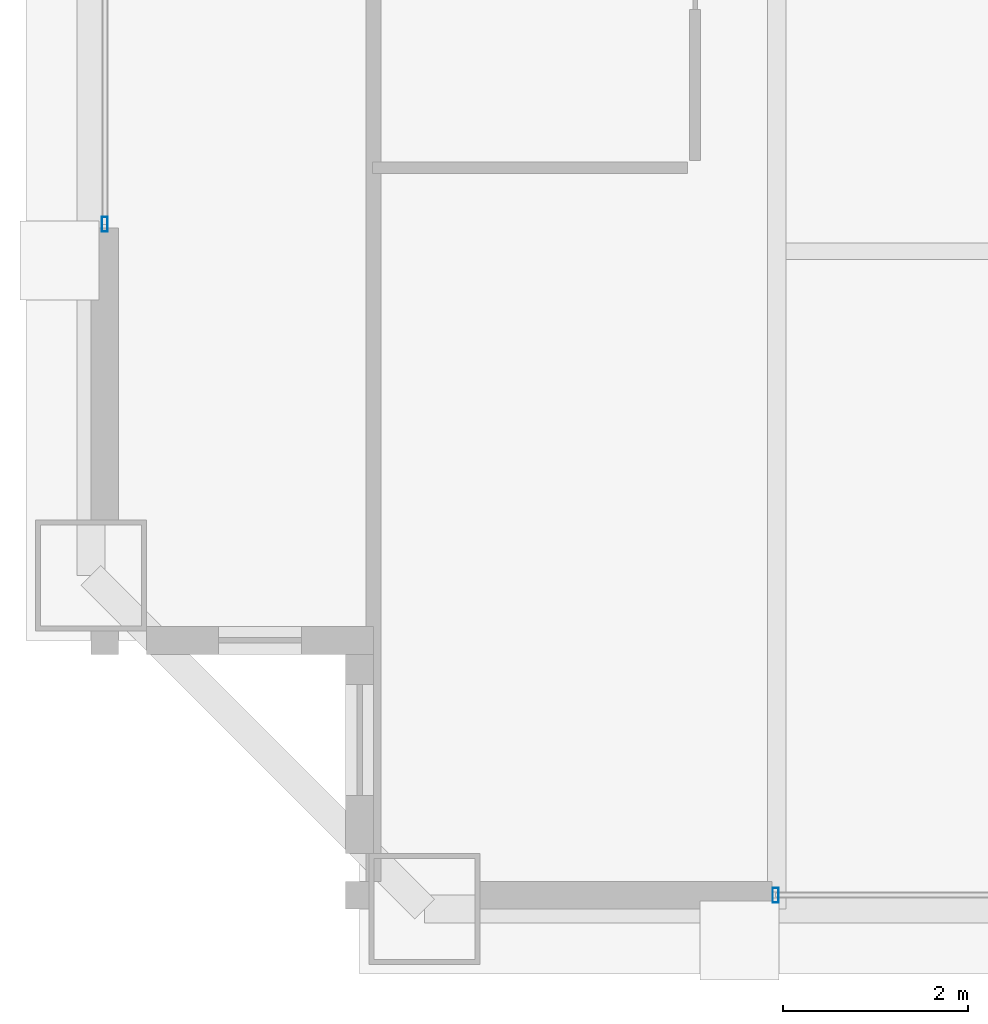
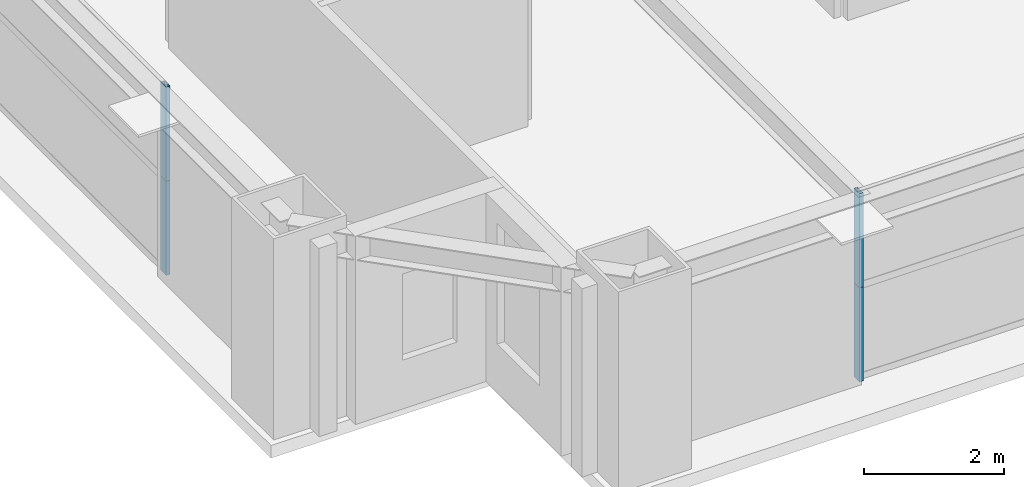
# One storey, part 4 of 37: 4 members, 2 elements without a shape of their own.
"""IFC4 building model written with IfcOpenShell, lengths in metres."""

from ifc_helpers import new_model, si_unit, direction, frame, origin, origin_2d, place, context, subcontext, project, spatial, hollow_rectangle, extrude, source, transform, mapped, material, layer, layer_set, material_profile, profile_set, type_object, element, aggregate, save


model = new_model("IFC4")

# Units and contexts
model_context = context("Model", 3, precision=1e-05, world=origin(), true_north=direction((0.0, 1.0)))
body_context = subcontext(model_context, "Body", "Model", "MODEL_VIEW")
ifc_project = project(units=[si_unit("LENGTHUNIT", "METRE"), si_unit("AREAUNIT", "SQUARE_METRE"), si_unit("VOLUMEUNIT", "CUBIC_METRE"), si_unit("PLANEANGLEUNIT", "RADIAN"), si_unit("MASSUNIT", "GRAM", prefix="KILO"), si_unit("THERMODYNAMICTEMPERATUREUNIT", "KELVIN"), si_unit("POWERUNIT", "WATT")], contexts=[model_context])

# Site, building, storey
site_placement = place(None, origin())
site = spatial("IfcSite", under=ifc_project, at=site_placement, CompositionType="ELEMENT")
building_placement = place(site_placement, origin())
building = spatial("IfcBuilding", under=site, at=building_placement, Name="Yuzanri Waterfront Tower", CompositionType="ELEMENT")
storey_placement = place(building_placement, frame((0.0, 0.0, 268.10009765625)))
storey = spatial("IfcBuildingStorey", under=building, at=storey_placement, Name="L71", CompositionType="ELEMENT", Elevation=268.10009765625)

# Curtain wall, members
ifc_material_1 = material(Name="Anodized Architectural Bronze", Category="metal")
ifc_layer = layer(ifc_material_1, 0.159912109375)
ifc_layer_set = layer_set([ifc_layer], Name="Anodized Architectural Bronze")
curtain_wall_type = type_object("IfcCurtainWallType", Name="Anodized Bronze Mid-Rise Residential Acoustic Unitized Curtain Wall 7200", PredefinedType="NOTDEFINED", material=ifc_layer_set)
curtain_wall_1_placement = place(storey_placement, origin())
curtain_wall_1 = element("IfcCurtainWall", 1, at=curtain_wall_1_placement, inside=storey, type_object=curtain_wall_type, Name="L71 Curtain Wall CW-L71-SL", PredefinedType="NOTDEFINED")
ifc_material_2 = material(Name="Anodized Architectural Bronze", Category="metal")
ifc_material_profile = material_profile(ifc_material_2, hollow_rectangle(XDim=0.06494140625, YDim=0.159912109375, WallThickness=0.00341796875, at=origin_2d()), Name="CWM 65x160")
ifc_profile_set = profile_set([ifc_material_profile], Name="Anodized Architectural Bronze")
member_type = type_object("IfcMemberType", Name="Anodized Bronze Upper-Zone Curtain-Wall Mullion 65x160", PredefinedType="MULLION", material=ifc_profile_set)
shared_shape = source(origin(), body_context, "Body", "SweptSolid", [
    extrude(hollow_rectangle(XDim=0.06494140625, YDim=0.159912109375, WallThickness=0.00341796875, at=origin_2d()), origin(), (0.0, 0.0, 1.0), 1.637939453125),
])
member_1_placement = place(storey_placement, frame((23.7900390625, 5.35009765625, 0.0), z_axis=(0.0, 0.0, 1.0), x_axis=(1.0, 0.0, 0.0)))
member_1 = element("IfcMember", 2, at=member_1_placement, type_object=member_type, Name="CW-L71-SL Lower Mullion 00", PredefinedType="MULLION", context=body_context, shape_type="MappedRepresentation", body=[
    mapped(shared_shape, transform((0.0, 0.0, 0.0), scale=1.0)),
])
member_2_placement = place(storey_placement, frame((23.7900390625, 5.35009765625, 1.641845703125), z_axis=(0.0, 0.0, 1.0), x_axis=(1.0, 0.0, 0.0)))
member_2 = element("IfcMember", 3, at=member_2_placement, type_object=member_type, Name="CW-L71-SL Upper Mullion 00", PredefinedType="MULLION", context=body_context, shape_type="MappedRepresentation", body=[
    mapped(shared_shape, transform((0.0, 0.0, 0.0), scale=1.0)),
])
aggregate(curtain_wall_1, [member_1, member_2])

curtain_wall_2_placement = place(storey_placement, origin())
curtain_wall_2 = element("IfcCurtainWall", 4, at=curtain_wall_2_placement, inside=storey, type_object=curtain_wall_type, Name="L71 Curtain Wall CW-L71-WL", PredefinedType="NOTDEFINED")
member_3_placement = place(storey_placement, frame((16.550048828125, 12.590087890625, 0.0), z_axis=(0.0, 0.0, 1.0), x_axis=(1.0, 0.0, 0.0)))
member_3 = element("IfcMember", 5, at=member_3_placement, type_object=member_type, Name="CW-L71-WL Lower Mullion 00", PredefinedType="MULLION", context=body_context, shape_type="MappedRepresentation", body=[
    mapped(shared_shape, transform((0.0, 0.0, 0.0), scale=1.0)),
])
member_4_placement = place(storey_placement, frame((16.550048828125, 12.590087890625, 1.641845703125), z_axis=(0.0, 0.0, 1.0), x_axis=(1.0, 0.0, 0.0)))
member_4 = element("IfcMember", 6, at=member_4_placement, type_object=member_type, Name="CW-L71-WL Upper Mullion 00", PredefinedType="MULLION", context=body_context, shape_type="MappedRepresentation", body=[
    mapped(shared_shape, transform((0.0, 0.0, 0.0), scale=1.0)),
])
aggregate(curtain_wall_2, [member_3, member_4])

save(model, "model.ifc")
